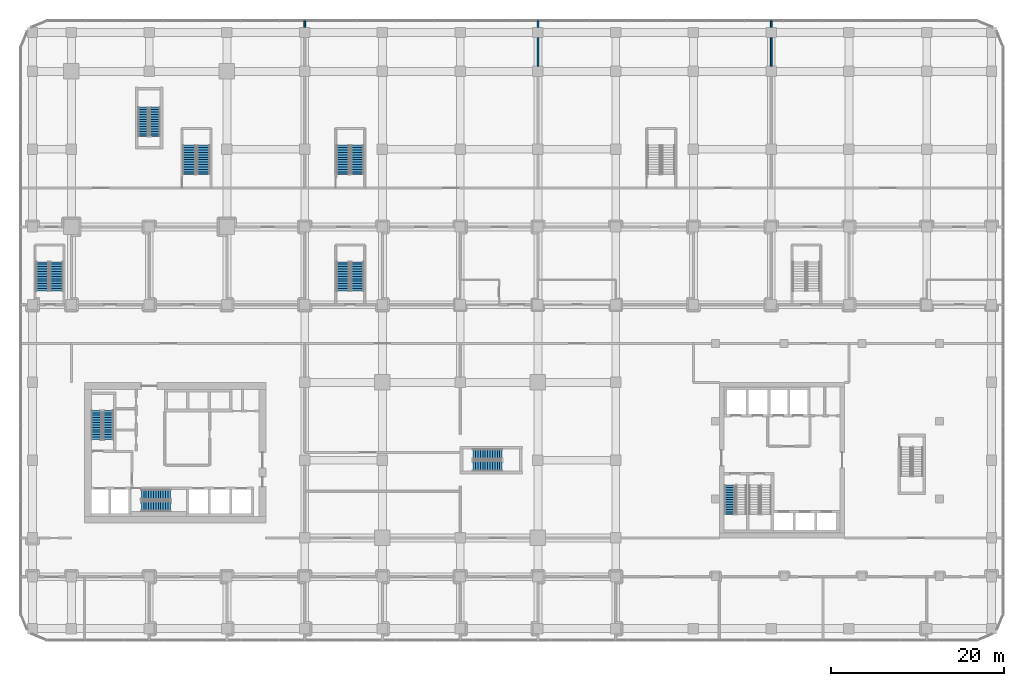
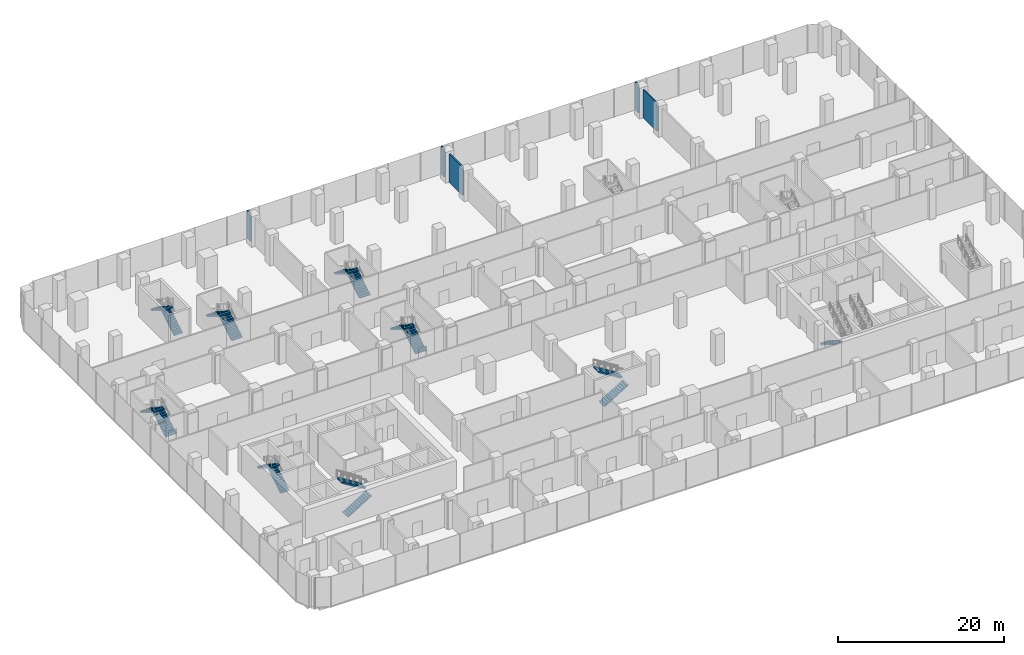
# One storey, part 37 of 43: 17 stair flights, 5 walls, 9 elements without a shape of their own.
"""IFC4 building model written with IfcOpenShell, lengths in metres."""

from ifc_helpers import new_model, si_unit, direction, frame, frame_2d, origin, place, context, subcontext, project, spatial, polyline, rectangle, outline, extrude, material, layer, layer_set, type_object, element, aggregate, save


model = new_model("IFC4")

# Units and contexts
model_context = context("Model", 3, precision=1e-05, world=origin(), true_north=direction((0.0, 1.0)))
body_context = subcontext(model_context, "Body", "Model", "MODEL_VIEW")
ifc_project = project(units=[si_unit("LENGTHUNIT", "METRE"), si_unit("AREAUNIT", "SQUARE_METRE"), si_unit("VOLUMEUNIT", "CUBIC_METRE"), si_unit("PLANEANGLEUNIT", "RADIAN"), si_unit("MASSUNIT", "GRAM", prefix="KILO")], contexts=[model_context])

# Site, building, storey
site_placement = place(None, origin())
site = spatial("IfcSite", under=ifc_project, at=site_placement, CompositionType="ELEMENT")
building_placement = place(site_placement, origin())
building = spatial("IfcBuilding", under=site, at=building_placement, Name="Plateau Cross Towers", CompositionType="ELEMENT")
storey_placement = place(building_placement, frame((0.0, 0.0, 17.300048828125)))
storey = spatial("IfcBuildingStorey", under=building, at=storey_placement, Name="L03", CompositionType="ELEMENT", Elevation=17.300048828125)

# Walls
ifc_material_1 = material(Name="Gypsum board on steel studs", Category="steel")
ifc_layer = layer(ifc_material_1, 0.199951171875)
ifc_layer_set = layer_set([ifc_layer], Name="Gypsum board on steel studs")
wall_type = type_object("IfcWallType", Name="Podium partition 200", PredefinedType="PARTITIONING", material=ifc_layer_set)
wall_1_placement = place(storey_placement, frame((54.0, 59.85009765625, 0.0), z_axis=(0.0, 0.0, 1.0), x_axis=(0.0, -1.0, 0.0)))
element("IfcWall", 1, at=wall_1_placement, inside=storey, type_object=wall_type, Name="Partition wall", PredefinedType="PARTITIONING", context=body_context, shape_type="SweptSolid", body=[
    extrude(rectangle(XDim=0.75, YDim=0.199951171875, at=frame_2d((0.375, 0.0))), origin(), (0.0, 0.0, 1.0), 4.14990234375),
])
wall_2_placement = place(storey_placement, frame((54.0, 57.89990234375, 0.0), z_axis=(0.0, 0.0, 1.0), x_axis=(0.0, -1.0, 0.0)))
element("IfcWall", 2, at=wall_2_placement, inside=storey, type_object=wall_type, Name="Partition wall", PredefinedType="PARTITIONING", context=body_context, shape_type="SweptSolid", body=[
    extrude(rectangle(XDim=3.2998046875, YDim=0.199951171875, at=frame_2d((1.64990234375, 0.0))), origin(), (0.0, 0.0, 1.0), 4.14990234375),
])
wall_3_placement = place(storey_placement, frame((81.0, 59.85009765625, 0.0), z_axis=(0.0, 0.0, 1.0), x_axis=(0.0, -1.0, 0.0)))
element("IfcWall", 3, at=wall_3_placement, inside=storey, type_object=wall_type, Name="Partition wall", PredefinedType="PARTITIONING", context=body_context, shape_type="SweptSolid", body=[
    extrude(rectangle(XDim=0.75, YDim=0.199951171875, at=frame_2d((0.375, 0.0))), origin(), (0.0, 0.0, 1.0), 4.14990234375),
])
wall_4_placement = place(storey_placement, frame((81.0, 57.89990234375, 0.0), z_axis=(0.0, 0.0, 1.0), x_axis=(0.0, -1.0, 0.0)))
element("IfcWall", 4, at=wall_4_placement, inside=storey, type_object=wall_type, Name="Partition wall", PredefinedType="PARTITIONING", context=body_context, shape_type="SweptSolid", body=[
    extrude(rectangle(XDim=3.2998046875, YDim=0.199951171875, at=frame_2d((1.64990234375, 0.0))), origin(), (0.0, 0.0, 1.0), 4.14990234375),
])
wall_5_placement = place(storey_placement, frame((27.0, 59.85009765625, 0.0), z_axis=(0.0, 0.0, 1.0), x_axis=(0.0, -1.0, 0.0)))
element("IfcWall", 5, at=wall_5_placement, inside=storey, type_object=wall_type, Name="Partition wall", PredefinedType="PARTITIONING", context=body_context, shape_type="SweptSolid", body=[
    extrude(rectangle(XDim=0.75, YDim=0.199951171875, at=frame_2d((0.375, 0.0))), origin(), (0.0, 0.0, 1.0), 4.14990234375),
])

# Stair, stair flights
ifc_material_2 = material(Name="Concrete C40/50", Category="concrete")
stair_type_1 = type_object("IfcStairType", Name="Podium exit stair 1500", PredefinedType="HALF_TURN_STAIR", material=ifc_material_2)
stair_1_placement = place(storey_placement, origin())
stair_1 = element("IfcStair", 6, at=stair_1_placement, inside=storey, type_object=stair_type_1, Name="L03 Exit Stair 1", PredefinedType="HALF_TURN_STAIR")
stair_flight_type_1 = type_object("IfcStairFlightType", Name="Podium stair flight 1500", PredefinedType="STRAIGHT", material=ifc_material_2)
stair_flight_1_placement = place(storey_placement, frame((33.10009765625, 28.60009765625, 0.0), z_axis=(0.0, 0.0, 1.0), x_axis=(0.0, 1.0, 0.0)))
stair_flight_1 = element("IfcStairFlight", 7, at=stair_flight_1_placement, type_object=stair_flight_type_1, Name="PS1 flight 1", NumberOfRisers=13, NumberOfTreads=12, PredefinedType="STRAIGHT", RiserHeight=0.173076923, TreadLength=0.28, context=body_context, shape_type="SweptSolid", body=[
    extrude(outline(polyline([(-0.0048828125, -0.010009765625), (-0.0048828125, 0.0), (0.0, 0.0), (0.0, 0.173095703125), (0.280029296875, 0.173095703125), (0.280029296875, 0.34619140625), (0.56005859375, 0.34619140625), (0.56005859375, 0.519287109375), (0.840087890625, 0.519287109375), (0.840087890625, 0.6923828125), (1.1201171875, 0.6923828125), (1.1201171875, 0.865478515625), (1.39990234375, 0.865478515625), (1.39990234375, 1.03857421875), (1.679931640625, 1.03857421875), (1.679931640625, 1.21142578125), (1.9599609375, 1.21142578125), (1.9599609375, 1.384521484375), (2.239990234375, 1.384521484375), (2.239990234375, 1.5576171875), (2.52001953125, 1.5576171875), (2.52001953125, 1.730712890625), (2.800048828125, 1.730712890625), (2.800048828125, 1.90380859375), (3.080078125, 1.90380859375), (3.080078125, 2.076904296875), (3.360107421875, 2.076904296875), (3.364990234375, 2.06689453125), (3.364990234375, 1.900634765625), (3.360107421875, 1.900634765625), (0.28515625, 0.0), (0.02001953125, 0.0), (0.02001953125, -0.010009765625), (-0.0048828125, -0.010009765625)])), frame((0.0, 0.75, 0.0), z_axis=(0.0, -1.0, 0.0), x_axis=(1.0, 0.0, 0.0)), (0.0, 0.0, 1.0), 1.5),
])
stair_flight_2_placement = place(storey_placement, frame((31.449951171875, 31.9599609375, 2.25), z_axis=(0.0, 0.0, 1.0), x_axis=(0.0, -1.0, 0.0)))
stair_flight_2 = element("IfcStairFlight", 8, at=stair_flight_2_placement, type_object=stair_flight_type_1, Name="PS1 flight 2", NumberOfRisers=13, NumberOfTreads=12, PredefinedType="STRAIGHT", RiserHeight=0.173076923, TreadLength=0.28, context=body_context, shape_type="SweptSolid", body=[
    extrude(outline(polyline([(-0.0048828125, -0.010009765625), (-0.0048828125, 0.0), (0.0, 0.0), (0.0, 0.173095703125), (0.280029296875, 0.173095703125), (0.280029296875, 0.34619140625), (0.56005859375, 0.34619140625), (0.56005859375, 0.519287109375), (0.840087890625, 0.519287109375), (0.840087890625, 0.6923828125), (1.1201171875, 0.6923828125), (1.1201171875, 0.865478515625), (1.39990234375, 0.865478515625), (1.39990234375, 1.03857421875), (1.679931640625, 1.03857421875), (1.679931640625, 1.21142578125), (1.9599609375, 1.21142578125), (1.9599609375, 1.384521484375), (2.239990234375, 1.384521484375), (2.239990234375, 1.5576171875), (2.52001953125, 1.5576171875), (2.52001953125, 1.730712890625), (2.800048828125, 1.730712890625), (2.800048828125, 1.90380859375), (3.080078125, 1.90380859375), (3.080078125, 2.076904296875), (3.360107421875, 2.076904296875), (3.364990234375, 2.06689453125), (3.364990234375, 1.900634765625), (3.360107421875, 1.900634765625), (0.28515625, 0.0), (0.02001953125, 0.0), (0.02001953125, -0.010009765625), (-0.0048828125, -0.010009765625)])), frame((0.0, 0.75, 0.0), z_axis=(0.0, -1.0, 0.0), x_axis=(1.0, 0.0, 0.0)), (0.0, 0.0, 1.0), 1.5),
])
aggregate(stair_1, [stair_flight_1, stair_flight_2])

stair_2_placement = place(storey_placement, origin())
stair_2 = element("IfcStair", 9, at=stair_2_placement, inside=storey, type_object=stair_type_1, Name="L03 Exit Stair 2", PredefinedType="HALF_TURN_STAIR")
stair_flight_3_placement = place(storey_placement, frame((33.10009765625, 42.10009765625, 0.0), z_axis=(0.0, 0.0, 1.0), x_axis=(0.0, 1.0, 0.0)))
stair_flight_3 = element("IfcStairFlight", 10, at=stair_flight_3_placement, type_object=stair_flight_type_1, Name="PS2 flight 1", NumberOfRisers=13, NumberOfTreads=12, PredefinedType="STRAIGHT", RiserHeight=0.173076923, TreadLength=0.28, context=body_context, shape_type="SweptSolid", body=[
    extrude(outline(polyline([(-0.0048828125, -0.010009765625), (-0.0048828125, 0.0), (0.0, 0.0), (0.0, 0.173095703125), (0.280029296875, 0.173095703125), (0.280029296875, 0.34619140625), (0.56005859375, 0.34619140625), (0.56005859375, 0.519287109375), (0.840087890625, 0.519287109375), (0.840087890625, 0.6923828125), (1.1201171875, 0.6923828125), (1.1201171875, 0.865478515625), (1.39990234375, 0.865478515625), (1.39990234375, 1.03857421875), (1.679931640625, 1.03857421875), (1.679931640625, 1.21142578125), (1.9599609375, 1.21142578125), (1.9599609375, 1.384521484375), (2.239990234375, 1.384521484375), (2.239990234375, 1.5576171875), (2.52001953125, 1.5576171875), (2.52001953125, 1.730712890625), (2.800048828125, 1.730712890625), (2.800048828125, 1.90380859375), (3.080078125, 1.90380859375), (3.080078125, 2.076904296875), (3.360107421875, 2.076904296875), (3.364990234375, 2.06689453125), (3.364990234375, 1.900634765625), (3.360107421875, 1.900634765625), (0.28515625, 0.0), (0.02001953125, 0.0), (0.02001953125, -0.010009765625), (-0.0048828125, -0.010009765625)])), frame((0.0, 0.75, 0.0), z_axis=(0.0, -1.0, 0.0), x_axis=(1.0, 0.0, 0.0)), (0.0, 0.0, 1.0), 1.5),
])
stair_flight_4_placement = place(storey_placement, frame((31.449951171875, 45.4599609375, 2.25), z_axis=(0.0, 0.0, 1.0), x_axis=(0.0, -1.0, 0.0)))
stair_flight_4 = element("IfcStairFlight", 11, at=stair_flight_4_placement, type_object=stair_flight_type_1, Name="PS2 flight 2", NumberOfRisers=13, NumberOfTreads=12, PredefinedType="STRAIGHT", RiserHeight=0.173076923, TreadLength=0.28, context=body_context, shape_type="SweptSolid", body=[
    extrude(outline(polyline([(-0.0048828125, -0.010009765625), (-0.0048828125, 0.0), (0.0, 0.0), (0.0, 0.173095703125), (0.280029296875, 0.173095703125), (0.280029296875, 0.34619140625), (0.56005859375, 0.34619140625), (0.56005859375, 0.519287109375), (0.840087890625, 0.519287109375), (0.840087890625, 0.6923828125), (1.1201171875, 0.6923828125), (1.1201171875, 0.865478515625), (1.39990234375, 0.865478515625), (1.39990234375, 1.03857421875), (1.679931640625, 1.03857421875), (1.679931640625, 1.21142578125), (1.9599609375, 1.21142578125), (1.9599609375, 1.384521484375), (2.239990234375, 1.384521484375), (2.239990234375, 1.5576171875), (2.52001953125, 1.5576171875), (2.52001953125, 1.730712890625), (2.800048828125, 1.730712890625), (2.800048828125, 1.90380859375), (3.080078125, 1.90380859375), (3.080078125, 2.076904296875), (3.360107421875, 2.076904296875), (3.364990234375, 2.06689453125), (3.364990234375, 1.900634765625), (3.360107421875, 1.900634765625), (0.28515625, 0.0), (0.02001953125, 0.0), (0.02001953125, -0.010009765625), (-0.0048828125, -0.010009765625)])), frame((0.0, 0.75, 0.0), z_axis=(0.0, -1.0, 0.0), x_axis=(1.0, 0.0, 0.0)), (0.0, 0.0, 1.0), 1.5),
])
aggregate(stair_2, [stair_flight_3, stair_flight_4])

stair_3_placement = place(storey_placement, origin())
stair_3 = element("IfcStair", 12, at=stair_3_placement, inside=storey, type_object=stair_type_1, Name="L03 Exit Stair 4", PredefinedType="HALF_TURN_STAIR")
stair_flight_5_placement = place(storey_placement, frame((-1.699951171875, 28.60009765625, 0.0), z_axis=(0.0, 0.0, 1.0), x_axis=(0.0, 1.0, 0.0)))
stair_flight_5 = element("IfcStairFlight", 13, at=stair_flight_5_placement, type_object=stair_flight_type_1, Name="PS4 flight 1", NumberOfRisers=13, NumberOfTreads=12, PredefinedType="STRAIGHT", RiserHeight=0.173076923, TreadLength=0.28, context=body_context, shape_type="SweptSolid", body=[
    extrude(outline(polyline([(-0.0048828125, -0.010009765625), (-0.0048828125, 0.0), (0.0, 0.0), (0.0, 0.173095703125), (0.280029296875, 0.173095703125), (0.280029296875, 0.34619140625), (0.56005859375, 0.34619140625), (0.56005859375, 0.519287109375), (0.840087890625, 0.519287109375), (0.840087890625, 0.6923828125), (1.1201171875, 0.6923828125), (1.1201171875, 0.865478515625), (1.39990234375, 0.865478515625), (1.39990234375, 1.03857421875), (1.679931640625, 1.03857421875), (1.679931640625, 1.21142578125), (1.9599609375, 1.21142578125), (1.9599609375, 1.384521484375), (2.239990234375, 1.384521484375), (2.239990234375, 1.5576171875), (2.52001953125, 1.5576171875), (2.52001953125, 1.730712890625), (2.800048828125, 1.730712890625), (2.800048828125, 1.90380859375), (3.080078125, 1.90380859375), (3.080078125, 2.076904296875), (3.360107421875, 2.076904296875), (3.364990234375, 2.06689453125), (3.364990234375, 1.900634765625), (3.360107421875, 1.900634765625), (0.28515625, 0.0), (0.02001953125, 0.0), (0.02001953125, -0.010009765625), (-0.0048828125, -0.010009765625)])), frame((0.0, 0.75, 0.0), z_axis=(0.0, -1.0, 0.0), x_axis=(1.0, 0.0, 0.0)), (0.0, 0.0, 1.0), 1.5),
])
stair_flight_6_placement = place(storey_placement, frame((-3.35009765625, 31.9599609375, 2.25), z_axis=(0.0, 0.0, 1.0), x_axis=(0.0, -1.0, 0.0)))
stair_flight_6 = element("IfcStairFlight", 14, at=stair_flight_6_placement, type_object=stair_flight_type_1, Name="PS4 flight 2", NumberOfRisers=13, NumberOfTreads=12, PredefinedType="STRAIGHT", RiserHeight=0.173076923, TreadLength=0.28, context=body_context, shape_type="SweptSolid", body=[
    extrude(outline(polyline([(-0.0048828125, -0.010009765625), (-0.0048828125, 0.0), (0.0, 0.0), (0.0, 0.173095703125), (0.280029296875, 0.173095703125), (0.280029296875, 0.34619140625), (0.56005859375, 0.34619140625), (0.56005859375, 0.519287109375), (0.840087890625, 0.519287109375), (0.840087890625, 0.6923828125), (1.1201171875, 0.6923828125), (1.1201171875, 0.865478515625), (1.39990234375, 0.865478515625), (1.39990234375, 1.03857421875), (1.679931640625, 1.03857421875), (1.679931640625, 1.21142578125), (1.9599609375, 1.21142578125), (1.9599609375, 1.384521484375), (2.239990234375, 1.384521484375), (2.239990234375, 1.5576171875), (2.52001953125, 1.5576171875), (2.52001953125, 1.730712890625), (2.800048828125, 1.730712890625), (2.800048828125, 1.90380859375), (3.080078125, 1.90380859375), (3.080078125, 2.076904296875), (3.360107421875, 2.076904296875), (3.364990234375, 2.06689453125), (3.364990234375, 1.900634765625), (3.360107421875, 1.900634765625), (0.28515625, 0.0), (0.02001953125, 0.0), (0.02001953125, -0.010009765625), (-0.0048828125, -0.010009765625)])), frame((0.0, 0.75, 0.0), z_axis=(0.0, -1.0, 0.0), x_axis=(1.0, 0.0, 0.0)), (0.0, 0.0, 1.0), 1.5),
])
aggregate(stair_3, [stair_flight_5, stair_flight_6])

stair_4_placement = place(storey_placement, origin())
stair_4 = element("IfcStair", 15, at=stair_4_placement, inside=storey, type_object=stair_type_1, Name="L03 Exit Stair 6", PredefinedType="HALF_TURN_STAIR")
stair_flight_7_placement = place(storey_placement, frame((15.300048828125, 42.10009765625, 0.0), z_axis=(0.0, 0.0, 1.0), x_axis=(0.0, 1.0, 0.0)))
stair_flight_7 = element("IfcStairFlight", 16, at=stair_flight_7_placement, type_object=stair_flight_type_1, Name="PS6 flight 1", NumberOfRisers=13, NumberOfTreads=12, PredefinedType="STRAIGHT", RiserHeight=0.173076923, TreadLength=0.28, context=body_context, shape_type="SweptSolid", body=[
    extrude(outline(polyline([(-0.0048828125, -0.010009765625), (-0.0048828125, 0.0), (0.0, 0.0), (0.0, 0.173095703125), (0.280029296875, 0.173095703125), (0.280029296875, 0.34619140625), (0.56005859375, 0.34619140625), (0.56005859375, 0.519287109375), (0.840087890625, 0.519287109375), (0.840087890625, 0.6923828125), (1.1201171875, 0.6923828125), (1.1201171875, 0.865478515625), (1.39990234375, 0.865478515625), (1.39990234375, 1.03857421875), (1.679931640625, 1.03857421875), (1.679931640625, 1.21142578125), (1.9599609375, 1.21142578125), (1.9599609375, 1.384521484375), (2.239990234375, 1.384521484375), (2.239990234375, 1.5576171875), (2.52001953125, 1.5576171875), (2.52001953125, 1.730712890625), (2.800048828125, 1.730712890625), (2.800048828125, 1.90380859375), (3.080078125, 1.90380859375), (3.080078125, 2.076904296875), (3.360107421875, 2.076904296875), (3.364990234375, 2.06689453125), (3.364990234375, 1.900634765625), (3.360107421875, 1.900634765625), (0.28515625, 0.0), (0.02001953125, 0.0), (0.02001953125, -0.010009765625), (-0.0048828125, -0.010009765625)])), frame((0.0, 0.75, 0.0), z_axis=(0.0, -1.0, 0.0), x_axis=(1.0, 0.0, 0.0)), (0.0, 0.0, 1.0), 1.5),
])
stair_flight_8_placement = place(storey_placement, frame((13.64990234375, 45.4599609375, 2.25), z_axis=(0.0, 0.0, 1.0), x_axis=(0.0, -1.0, 0.0)))
stair_flight_8 = element("IfcStairFlight", 17, at=stair_flight_8_placement, type_object=stair_flight_type_1, Name="PS6 flight 2", NumberOfRisers=13, NumberOfTreads=12, PredefinedType="STRAIGHT", RiserHeight=0.173076923, TreadLength=0.28, context=body_context, shape_type="SweptSolid", body=[
    extrude(outline(polyline([(-0.0048828125, -0.010009765625), (-0.0048828125, 0.0), (0.0, 0.0), (0.0, 0.173095703125), (0.280029296875, 0.173095703125), (0.280029296875, 0.34619140625), (0.56005859375, 0.34619140625), (0.56005859375, 0.519287109375), (0.840087890625, 0.519287109375), (0.840087890625, 0.6923828125), (1.1201171875, 0.6923828125), (1.1201171875, 0.865478515625), (1.39990234375, 0.865478515625), (1.39990234375, 1.03857421875), (1.679931640625, 1.03857421875), (1.679931640625, 1.21142578125), (1.9599609375, 1.21142578125), (1.9599609375, 1.384521484375), (2.239990234375, 1.384521484375), (2.239990234375, 1.5576171875), (2.52001953125, 1.5576171875), (2.52001953125, 1.730712890625), (2.800048828125, 1.730712890625), (2.800048828125, 1.90380859375), (3.080078125, 1.90380859375), (3.080078125, 2.076904296875), (3.360107421875, 2.076904296875), (3.364990234375, 2.06689453125), (3.364990234375, 1.900634765625), (3.360107421875, 1.900634765625), (0.28515625, 0.0), (0.02001953125, 0.0), (0.02001953125, -0.010009765625), (-0.0048828125, -0.010009765625)])), frame((0.0, 0.75, 0.0), z_axis=(0.0, -1.0, 0.0), x_axis=(1.0, 0.0, 0.0)), (0.0, 0.0, 1.0), 1.5),
])
aggregate(stair_4, [stair_flight_7, stair_flight_8])

stair_type_2 = type_object("IfcStairType", Name="ST-TWR", PredefinedType="HALF_TURN_STAIR", material=ifc_material_2)
stair_5_placement = place(storey_placement, origin())
stair_5 = element("IfcStair", 18, at=stair_5_placement, inside=storey, type_object=stair_type_2, Name="L03 Protected Exit Stair ST-1", PredefinedType="HALF_TURN_STAIR")
stair_flight_type_2 = type_object("IfcStairFlightType", Name="SFL-RC", PredefinedType="STRAIGHT", material=ifc_material_2)
stair_flight_9_placement = place(storey_placement, frame((4.25, 11.39990234375, 0.0), z_axis=(0.0, 0.0, 1.0), x_axis=(0.0, 1.0, 0.0)))
stair_flight_9 = element("IfcStairFlight", 19, at=stair_flight_9_placement, type_object=stair_flight_type_2, Name="ST-1 flight 1", NumberOfRisers=13, NumberOfTreads=12, PredefinedType="STRAIGHT", RiserHeight=0.173076923, TreadLength=0.28, context=body_context, shape_type="SweptSolid", body=[
    extrude(outline(polyline([(-0.0048828125, -0.010009765625), (-0.0048828125, 0.0), (0.0, 0.0), (0.0, 0.173095703125), (0.280029296875, 0.173095703125), (0.280029296875, 0.34619140625), (0.56005859375, 0.34619140625), (0.56005859375, 0.519287109375), (0.840087890625, 0.519287109375), (0.840087890625, 0.6923828125), (1.1201171875, 0.6923828125), (1.1201171875, 0.865478515625), (1.39990234375, 0.865478515625), (1.39990234375, 1.03857421875), (1.679931640625, 1.03857421875), (1.679931640625, 1.21142578125), (1.9599609375, 1.21142578125), (1.9599609375, 1.384521484375), (2.239990234375, 1.384521484375), (2.239990234375, 1.5576171875), (2.52001953125, 1.5576171875), (2.52001953125, 1.730712890625), (2.800048828125, 1.730712890625), (2.800048828125, 1.90380859375), (3.080078125, 1.90380859375), (3.080078125, 2.076904296875), (3.360107421875, 2.076904296875), (3.364990234375, 2.06689453125), (3.364990234375, 1.900634765625), (3.360107421875, 1.900634765625), (0.28515625, 0.0), (0.02001953125, 0.0), (0.02001953125, -0.010009765625), (-0.0048828125, -0.010009765625)])), frame((0.0, 0.60009765625, 0.0), z_axis=(0.0, -1.0, 0.0), x_axis=(1.0, 0.0, 0.0)), (0.0, 0.0, 1.0), 1.199951171875),
])
stair_flight_10_placement = place(storey_placement, frame((2.89990234375, 14.760009765625, 2.25), z_axis=(0.0, 0.0, 1.0), x_axis=(0.0, -1.0, 0.0)))
stair_flight_10 = element("IfcStairFlight", 20, at=stair_flight_10_placement, type_object=stair_flight_type_2, Name="ST-1 flight 2", NumberOfRisers=13, NumberOfTreads=12, PredefinedType="STRAIGHT", RiserHeight=0.173076923, TreadLength=0.28, context=body_context, shape_type="SweptSolid", body=[
    extrude(outline(polyline([(-0.0048828125, -0.010009765625), (-0.0048828125, 0.0), (0.0, 0.0), (0.0, 0.173095703125), (0.280029296875, 0.173095703125), (0.280029296875, 0.34619140625), (0.56005859375, 0.34619140625), (0.56005859375, 0.519287109375), (0.840087890625, 0.519287109375), (0.840087890625, 0.6923828125), (1.1201171875, 0.6923828125), (1.1201171875, 0.865478515625), (1.39990234375, 0.865478515625), (1.39990234375, 1.03857421875), (1.679931640625, 1.03857421875), (1.679931640625, 1.21142578125), (1.9599609375, 1.21142578125), (1.9599609375, 1.384521484375), (2.239990234375, 1.384521484375), (2.239990234375, 1.5576171875), (2.52001953125, 1.5576171875), (2.52001953125, 1.730712890625), (2.800048828125, 1.730712890625), (2.800048828125, 1.90380859375), (3.080078125, 1.90380859375), (3.080078125, 2.076904296875), (3.360107421875, 2.076904296875), (3.364990234375, 2.06689453125), (3.364990234375, 1.900634765625), (3.360107421875, 1.900634765625), (0.28515625, 0.0), (0.02001953125, 0.0), (0.02001953125, -0.010009765625), (-0.0048828125, -0.010009765625)])), frame((0.0, 0.60009765625, 0.0), z_axis=(0.0, -1.0, 0.0), x_axis=(1.0, 0.0, 0.0)), (0.0, 0.0, 1.0), 1.199951171875),
])
aggregate(stair_5, [stair_flight_9, stair_flight_10])

stair_6_placement = place(storey_placement, origin())
stair_6 = element("IfcStair", 21, at=stair_6_placement, inside=storey, type_object=stair_type_2, Name="L03 Protected Exit Stair ST-2", PredefinedType="HALF_TURN_STAIR")
stair_flight_11_placement = place(storey_placement, frame((8.10009765625, 3.64990234375, 0.0), z_axis=(0.0, 0.0, 1.0), x_axis=(1.0, 0.0, 0.0)))
stair_flight_11 = element("IfcStairFlight", 22, at=stair_flight_11_placement, type_object=stair_flight_type_2, Name="ST-2 flight 1", NumberOfRisers=13, NumberOfTreads=12, PredefinedType="STRAIGHT", RiserHeight=0.173076923, TreadLength=0.28, context=body_context, shape_type="SweptSolid", body=[
    extrude(outline(polyline([(-0.0048828125, -0.010009765625), (-0.0048828125, 0.0), (0.0, 0.0), (0.0, 0.173095703125), (0.280029296875, 0.173095703125), (0.280029296875, 0.34619140625), (0.56005859375, 0.34619140625), (0.56005859375, 0.519287109375), (0.840087890625, 0.519287109375), (0.840087890625, 0.6923828125), (1.1201171875, 0.6923828125), (1.1201171875, 0.865478515625), (1.39990234375, 0.865478515625), (1.39990234375, 1.03857421875), (1.679931640625, 1.03857421875), (1.679931640625, 1.21142578125), (1.9599609375, 1.21142578125), (1.9599609375, 1.384521484375), (2.239990234375, 1.384521484375), (2.239990234375, 1.5576171875), (2.52001953125, 1.5576171875), (2.52001953125, 1.730712890625), (2.800048828125, 1.730712890625), (2.800048828125, 1.90380859375), (3.080078125, 1.90380859375), (3.080078125, 2.076904296875), (3.360107421875, 2.076904296875), (3.364990234375, 2.06689453125), (3.364990234375, 1.900634765625), (3.360107421875, 1.900634765625), (0.28515625, 0.0), (0.02001953125, 0.0), (0.02001953125, -0.010009765625), (-0.0048828125, -0.010009765625)])), frame((0.0, 0.60009765625, 0.0), z_axis=(0.0, -1.0, 0.0), x_axis=(1.0, 0.0, 0.0)), (0.0, 0.0, 1.0), 1.199951171875),
])
stair_flight_12_placement = place(storey_placement, frame((11.4599609375, 5.0, 2.25), z_axis=(0.0, 0.0, 1.0), x_axis=(-1.0, 0.0, 0.0)))
stair_flight_12 = element("IfcStairFlight", 23, at=stair_flight_12_placement, type_object=stair_flight_type_2, Name="ST-2 flight 2", NumberOfRisers=13, NumberOfTreads=12, PredefinedType="STRAIGHT", RiserHeight=0.173076923, TreadLength=0.28, context=body_context, shape_type="SweptSolid", body=[
    extrude(outline(polyline([(-0.0048828125, -0.010009765625), (-0.0048828125, 0.0), (0.0, 0.0), (0.0, 0.173095703125), (0.280029296875, 0.173095703125), (0.280029296875, 0.34619140625), (0.56005859375, 0.34619140625), (0.56005859375, 0.519287109375), (0.840087890625, 0.519287109375), (0.840087890625, 0.6923828125), (1.1201171875, 0.6923828125), (1.1201171875, 0.865478515625), (1.39990234375, 0.865478515625), (1.39990234375, 1.03857421875), (1.679931640625, 1.03857421875), (1.679931640625, 1.21142578125), (1.9599609375, 1.21142578125), (1.9599609375, 1.384521484375), (2.239990234375, 1.384521484375), (2.239990234375, 1.5576171875), (2.52001953125, 1.5576171875), (2.52001953125, 1.730712890625), (2.800048828125, 1.730712890625), (2.800048828125, 1.90380859375), (3.080078125, 1.90380859375), (3.080078125, 2.076904296875), (3.360107421875, 2.076904296875), (3.364990234375, 2.06689453125), (3.364990234375, 1.900634765625), (3.360107421875, 1.900634765625), (0.28515625, 0.0), (0.02001953125, 0.0), (0.02001953125, -0.010009765625), (-0.0048828125, -0.010009765625)])), frame((0.0, 0.60009765625, 0.0), z_axis=(0.0, -1.0, 0.0), x_axis=(1.0, 0.0, 0.0)), (0.0, 0.0, 1.0), 1.199951171875),
])
aggregate(stair_6, [stair_flight_11, stair_flight_12])

# Stair, stair flight
stair_7_placement = place(storey_placement, origin())
stair_7 = element("IfcStair", 24, at=stair_7_placement, inside=storey, type_object=stair_type_2, Name="L03 Protected Exit Stair SB-1", PredefinedType="HALF_TURN_STAIR")
stair_flight_13_placement = place(storey_placement, frame((76.199951171875, 6.10009765625, 0.0), z_axis=(0.0, 0.0, 1.0), x_axis=(0.0, -1.0, 0.0)))
stair_flight_13 = element("IfcStairFlight", 25, at=stair_flight_13_placement, type_object=stair_flight_type_2, Name="SB-1 flight 1", NumberOfRisers=13, NumberOfTreads=12, PredefinedType="STRAIGHT", RiserHeight=0.173076923, TreadLength=0.28, context=body_context, shape_type="SweptSolid", body=[
    extrude(outline(polyline([(-0.0048828125, -0.010009765625), (-0.0048828125, 0.0), (0.0, 0.0), (0.0, 0.173095703125), (0.280029296875, 0.173095703125), (0.280029296875, 0.34619140625), (0.56005859375, 0.34619140625), (0.56005859375, 0.519287109375), (0.840087890625, 0.519287109375), (0.840087890625, 0.6923828125), (1.1201171875, 0.6923828125), (1.1201171875, 0.865478515625), (1.39990234375, 0.865478515625), (1.39990234375, 1.03857421875), (1.679931640625, 1.03857421875), (1.679931640625, 1.21142578125), (1.9599609375, 1.21142578125), (1.9599609375, 1.384521484375), (2.239990234375, 1.384521484375), (2.239990234375, 1.5576171875), (2.52001953125, 1.5576171875), (2.52001953125, 1.730712890625), (2.800048828125, 1.730712890625), (2.800048828125, 1.90380859375), (3.080078125, 1.90380859375), (3.080078125, 2.076904296875), (3.360107421875, 2.076904296875), (3.364990234375, 2.06689453125), (3.364990234375, 1.900634765625), (3.360107421875, 1.900634765625), (0.28515625, 0.0), (0.02001953125, 0.0), (0.02001953125, -0.010009765625), (-0.0048828125, -0.010009765625)])), frame((0.0, 0.60009765625, 0.0), z_axis=(0.0, -1.0, 0.0), x_axis=(1.0, 0.0, 0.0)), (0.0, 0.0, 1.0), 1.199951171875),
])
aggregate(stair_7, [stair_flight_13])

# Stair, stair flights
stair_8_placement = place(storey_placement, origin())
stair_8 = element("IfcStair", 26, at=stair_8_placement, inside=storey, type_object=stair_type_2, Name="L03 Protected Exit Stair E", PredefinedType="HALF_TURN_STAIR")
stair_flight_14_placement = place(storey_placement, frame((46.5, 8.324951171875, 0.0), z_axis=(0.0, 0.0, 1.0), x_axis=(1.0, 0.0, 0.0)))
stair_flight_14 = element("IfcStairFlight", 27, at=stair_flight_14_placement, type_object=stair_flight_type_2, Name="ES-E flight 1", NumberOfRisers=13, NumberOfTreads=12, PredefinedType="STRAIGHT", RiserHeight=0.173076923, TreadLength=0.28, context=body_context, shape_type="SweptSolid", body=[
    extrude(outline(polyline([(-0.0048828125, -0.010009765625), (-0.0048828125, 0.0), (0.0, 0.0), (0.0, 0.173095703125), (0.280029296875, 0.173095703125), (0.280029296875, 0.34619140625), (0.56005859375, 0.34619140625), (0.56005859375, 0.519287109375), (0.840087890625, 0.519287109375), (0.840087890625, 0.6923828125), (1.1201171875, 0.6923828125), (1.1201171875, 0.865478515625), (1.39990234375, 0.865478515625), (1.39990234375, 1.03857421875), (1.679931640625, 1.03857421875), (1.679931640625, 1.21142578125), (1.9599609375, 1.21142578125), (1.9599609375, 1.384521484375), (2.239990234375, 1.384521484375), (2.239990234375, 1.5576171875), (2.52001953125, 1.5576171875), (2.52001953125, 1.730712890625), (2.800048828125, 1.730712890625), (2.800048828125, 1.90380859375), (3.080078125, 1.90380859375), (3.080078125, 2.076904296875), (3.360107421875, 2.076904296875), (3.364990234375, 2.06689453125), (3.364990234375, 1.900634765625), (3.360107421875, 1.900634765625), (0.28515625, 0.0), (0.02001953125, 0.0), (0.02001953125, -0.010009765625), (-0.0048828125, -0.010009765625)])), frame((0.0, 0.60009765625, 0.0), z_axis=(0.0, -1.0, 0.0), x_axis=(1.0, 0.0, 0.0)), (0.0, 0.0, 1.0), 1.199951171875),
])
stair_flight_15_placement = place(storey_placement, frame((49.860107421875, 9.675048828125, 2.25), z_axis=(0.0, 0.0, 1.0), x_axis=(-1.0, 0.0, 0.0)))
stair_flight_15 = element("IfcStairFlight", 28, at=stair_flight_15_placement, type_object=stair_flight_type_2, Name="ES-E flight 2", NumberOfRisers=13, NumberOfTreads=12, PredefinedType="STRAIGHT", RiserHeight=0.173076923, TreadLength=0.28, context=body_context, shape_type="SweptSolid", body=[
    extrude(outline(polyline([(-0.0048828125, -0.010009765625), (-0.0048828125, 0.0), (0.0, 0.0), (0.0, 0.173095703125), (0.280029296875, 0.173095703125), (0.280029296875, 0.34619140625), (0.56005859375, 0.34619140625), (0.56005859375, 0.519287109375), (0.840087890625, 0.519287109375), (0.840087890625, 0.6923828125), (1.1201171875, 0.6923828125), (1.1201171875, 0.865478515625), (1.39990234375, 0.865478515625), (1.39990234375, 1.03857421875), (1.679931640625, 1.03857421875), (1.679931640625, 1.21142578125), (1.9599609375, 1.21142578125), (1.9599609375, 1.384521484375), (2.239990234375, 1.384521484375), (2.239990234375, 1.5576171875), (2.52001953125, 1.5576171875), (2.52001953125, 1.730712890625), (2.800048828125, 1.730712890625), (2.800048828125, 1.90380859375), (3.080078125, 1.90380859375), (3.080078125, 2.076904296875), (3.360107421875, 2.076904296875), (3.364990234375, 2.06689453125), (3.364990234375, 1.900634765625), (3.360107421875, 1.900634765625), (0.28515625, 0.0), (0.02001953125, 0.0), (0.02001953125, -0.010009765625), (-0.0048828125, -0.010009765625)])), frame((0.0, 0.60009765625, 0.0), z_axis=(0.0, -1.0, 0.0), x_axis=(1.0, 0.0, 0.0)), (0.0, 0.0, 1.0), 1.199951171875),
])
aggregate(stair_8, [stair_flight_14, stair_flight_15])

stair_9_placement = place(storey_placement, origin())
stair_9 = element("IfcStair", 29, at=stair_9_placement, inside=storey, type_object=stair_type_2, Name="L03 Protected Exit Stair N", PredefinedType="HALF_TURN_STAIR")
stair_flight_16_placement = place(storey_placement, frame((9.675048828125, 46.5, 0.0), z_axis=(0.0, 0.0, 1.0), x_axis=(0.0, 1.0, 0.0)))
stair_flight_16 = element("IfcStairFlight", 30, at=stair_flight_16_placement, type_object=stair_flight_type_2, Name="ES-N flight 1", NumberOfRisers=13, NumberOfTreads=12, PredefinedType="STRAIGHT", RiserHeight=0.173076923, TreadLength=0.28, context=body_context, shape_type="SweptSolid", body=[
    extrude(outline(polyline([(-0.0048828125, -0.010009765625), (-0.0048828125, 0.0), (0.0, 0.0), (0.0, 0.173095703125), (0.280029296875, 0.173095703125), (0.280029296875, 0.34619140625), (0.56005859375, 0.34619140625), (0.56005859375, 0.519287109375), (0.840087890625, 0.519287109375), (0.840087890625, 0.6923828125), (1.1201171875, 0.6923828125), (1.1201171875, 0.865478515625), (1.39990234375, 0.865478515625), (1.39990234375, 1.03857421875), (1.679931640625, 1.03857421875), (1.679931640625, 1.21142578125), (1.9599609375, 1.21142578125), (1.9599609375, 1.384521484375), (2.239990234375, 1.384521484375), (2.239990234375, 1.5576171875), (2.52001953125, 1.5576171875), (2.52001953125, 1.730712890625), (2.800048828125, 1.730712890625), (2.800048828125, 1.90380859375), (3.080078125, 1.90380859375), (3.080078125, 2.076904296875), (3.360107421875, 2.076904296875), (3.364990234375, 2.06689453125), (3.364990234375, 1.900634765625), (3.360107421875, 1.900634765625), (0.28515625, 0.0), (0.02001953125, 0.0), (0.02001953125, -0.010009765625), (-0.0048828125, -0.010009765625)])), frame((0.0, 0.60009765625, 0.0), z_axis=(0.0, -1.0, 0.0), x_axis=(1.0, 0.0, 0.0)), (0.0, 0.0, 1.0), 1.199951171875),
])
stair_flight_17_placement = place(storey_placement, frame((8.324951171875, 49.860107421875, 2.25), z_axis=(0.0, 0.0, 1.0), x_axis=(0.0, -1.0, 0.0)))
stair_flight_17 = element("IfcStairFlight", 31, at=stair_flight_17_placement, type_object=stair_flight_type_2, Name="ES-N flight 2", NumberOfRisers=13, NumberOfTreads=12, PredefinedType="STRAIGHT", RiserHeight=0.173076923, TreadLength=0.28, context=body_context, shape_type="SweptSolid", body=[
    extrude(outline(polyline([(-0.0048828125, -0.010009765625), (-0.0048828125, 0.0), (0.0, 0.0), (0.0, 0.173095703125), (0.280029296875, 0.173095703125), (0.280029296875, 0.34619140625), (0.56005859375, 0.34619140625), (0.56005859375, 0.519287109375), (0.840087890625, 0.519287109375), (0.840087890625, 0.6923828125), (1.1201171875, 0.6923828125), (1.1201171875, 0.865478515625), (1.39990234375, 0.865478515625), (1.39990234375, 1.03857421875), (1.679931640625, 1.03857421875), (1.679931640625, 1.21142578125), (1.9599609375, 1.21142578125), (1.9599609375, 1.384521484375), (2.239990234375, 1.384521484375), (2.239990234375, 1.5576171875), (2.52001953125, 1.5576171875), (2.52001953125, 1.730712890625), (2.800048828125, 1.730712890625), (2.800048828125, 1.90380859375), (3.080078125, 1.90380859375), (3.080078125, 2.076904296875), (3.360107421875, 2.076904296875), (3.364990234375, 2.06689453125), (3.364990234375, 1.900634765625), (3.360107421875, 1.900634765625), (0.28515625, 0.0), (0.02001953125, 0.0), (0.02001953125, -0.010009765625), (-0.0048828125, -0.010009765625)])), frame((0.0, 0.60009765625, 0.0), z_axis=(0.0, -1.0, 0.0), x_axis=(1.0, 0.0, 0.0)), (0.0, 0.0, 1.0), 1.199951171875),
])
aggregate(stair_9, [stair_flight_16, stair_flight_17])

save(model, "model.ifc")
